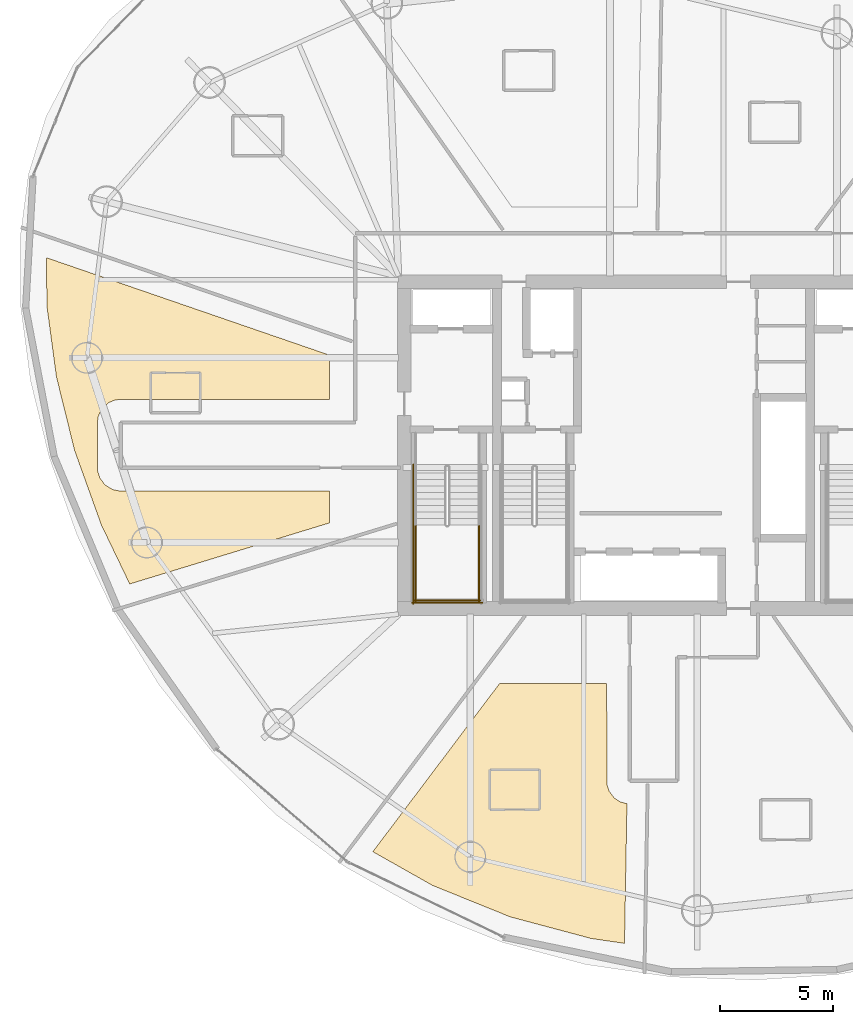
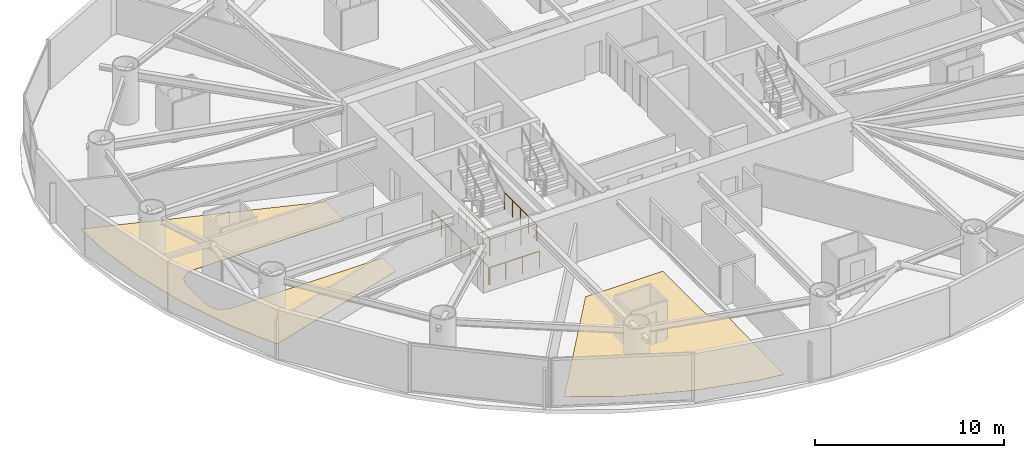
# One storey, part 19 of 21: 5 railings, 2 coverings.
"""IFC4 building model written with IfcOpenShell, lengths in metres."""

from ifc_helpers import new_model, si_unit, direction, frame, origin, origin_2d, place, context, subcontext, project, spatial, polyline, circle, outline, extrude, material, layer, layer_set, type_object, element, save


model = new_model("IFC4")

# Units and contexts
model_context = context("Model", 3, precision=1e-05, world=origin(), true_north=direction((0.0, 1.0)))
body_context = subcontext(model_context, "Body", "Model", "MODEL_VIEW")
ifc_project = project(units=[si_unit("LENGTHUNIT", "METRE"), si_unit("AREAUNIT", "SQUARE_METRE"), si_unit("VOLUMEUNIT", "CUBIC_METRE"), si_unit("PLANEANGLEUNIT", "RADIAN"), si_unit("MASSUNIT", "GRAM", prefix="KILO")], contexts=[model_context])

# Site, building, storey
site_placement = place(None, origin())
site = spatial("IfcSite", under=ifc_project, at=site_placement, CompositionType="ELEMENT")
building_placement = place(site_placement, origin())
building = spatial("IfcBuilding", under=site, at=building_placement, Name="Bramvorn Convention Spire", CompositionType="ELEMENT")
storey_placement = place(building_placement, frame((0.0, 0.0, 162.300048828125)))
storey = spatial("IfcBuildingStorey", under=building, at=storey_placement, Name="L41", CompositionType="ELEMENT", Elevation=162.300048828125)

# Coverings
ifc_material_1 = material(Name="Solution-Dyed Wool Broadloom Hospitality Carpet", Category="textile")
ifc_layer = layer(ifc_material_1, 0.014892578125)
ifc_layer_set = layer_set([ifc_layer], Name="Solution-Dyed Wool Broadloom Hospitality Carpet - FLR-CARPET-15")
covering_type = type_object("IfcCoveringType", Name="FLR-CARPET-15", PredefinedType="FLOORING", material=ifc_layer_set)
covering_1_placement = place(storey_placement, origin())
element("IfcCovering", 1, at=covering_1_placement, inside=storey, type_object=covering_type, Name="Hotel Suite 4105 wool broadloom carpet", PredefinedType="FLOORING", context=body_context, shape_type="SweptSolid", body=[
    extrude(outline(polyline([(11.25390625, 32.114501953125), (11.671142578125, 29.01220703125), (12.47021484375, 25.774169921875), (13.65087890625, 22.483642578125), (14.90185546875, 19.87939453125), (23.699951171875, 22.569091796875), (23.699951171875, 23.97998046875), (14.455810546875, 23.981201171875), (14.15087890625, 24.041748046875), (13.810791015625, 24.248291015625), (13.58056640625, 24.55859375), (13.490234375, 24.856201171875), (13.481201171875, 27.044189453125), (13.51220703125, 27.25341796875), (13.622314453125, 27.519287109375), (13.748291015625, 27.689208984375), (13.980712890625, 27.877685546875), (14.24658203125, 27.98779296875), (14.5, 28.02001953125), (23.699951171875, 28.02001953125), (23.699951171875, 29.971923828125), (11.22705078125, 34.266845703125), (11.25390625, 32.114501953125)])), origin(), (0.0, 0.0, 1.0), 0.014892578125),
])
covering_2_placement = place(storey_placement, origin())
element("IfcCovering", 2, at=covering_2_placement, inside=storey, type_object=covering_type, Name="Hotel Suite 4107 wool broadloom carpet", PredefinedType="FLOORING", context=body_context, shape_type="SweptSolid", body=[
    extrude(outline(polyline([(28.248046875, 6.591796875), (31.6748046875, 5.204345703125), (35.243408203125, 4.2509765625), (36.716552734375, 4.03515625), (36.823974609375, 10.188720703125), (36.519287109375, 10.275390625), (36.2607421875, 10.4482421875), (36.030517578125, 10.758544921875), (35.94189453125, 11.04443359375), (35.929931640625, 15.5), (31.214599609375, 15.5), (25.62060546875, 8.07666015625), (28.248046875, 6.591796875)])), origin(), (0.0, 0.0, 1.0), 0.014892578125),
])

# Railings
ifc_material_2 = material(Name="Painted Steel Balustrade & Guardrail", Category="steel")
railing_type = type_object("IfcRailingType", Name="RL-STAIR-GUARD-1100", PredefinedType="GUARDRAIL", material=ifc_material_2)
for number, where, name in (
    (3, (27.5, 22.485107421875, 1.75), "L41 ST1 stair guard 3"),
    (4, (30.300048828125, 22.485107421875, 1.75), "L41 ST1 stair guard 4"),
):
    element("IfcRailing", number, at=place(storey_placement, frame(where)), inside=storey, type_object=railing_type, Name=name, PredefinedType="GUARDRAIL", context=body_context, shape_type="SweptSolid", body=[
        extrude(circle(Radius=0.02392578125, at=origin_2d()), frame((0.0, 0.0, 1.076171875), z_axis=(0.0, -1.0, 0.0), x_axis=(1.0, 0.0, 0.0)), (0.0, 0.0, 1.0), 3.385009765625),
        extrude(circle(Radius=0.02099609375, at=origin_2d()), origin(), (0.0, 0.0, 1.0), 1.052001953125),
        extrude(circle(Radius=0.02099609375, at=origin_2d()), frame((0.0, -0.84619140625, 0.0)), (0.0, 0.0, 1.0), 1.052001953125),
        extrude(circle(Radius=0.02099609375, at=origin_2d()), frame((0.0, -1.6923828125, 0.0)), (0.0, 0.0, 1.0), 1.052001953125),
        extrude(circle(Radius=0.02099609375, at=origin_2d()), frame((0.0, -2.538818359375, 0.0)), (0.0, 0.0, 1.0), 1.052001953125),
        extrude(circle(Radius=0.02099609375, at=origin_2d()), frame((0.0, -3.385009765625, 0.0)), (0.0, 0.0, 1.0), 1.052001953125),
    ])
railing_1_placement = place(storey_placement, frame((27.449951171875, 19.14990234375, 1.75)))
element("IfcRailing", 5, at=railing_1_placement, inside=storey, type_object=railing_type, Name="L41 ST1 stair guard 5", PredefinedType="GUARDRAIL", context=body_context, shape_type="SweptSolid", body=[
    extrude(circle(Radius=0.02392578125, at=origin_2d()), frame((0.0, 0.0, 1.076171875), z_axis=(1.0, 0.0, 0.0), x_axis=(0.0, 1.0, 0.0)), (0.0, 0.0, 1.0), 2.900146484375),
    extrude(circle(Radius=0.02099609375, at=origin_2d()), origin(), (0.0, 0.0, 1.0), 1.052001953125),
    extrude(circle(Radius=0.02099609375, at=origin_2d()), frame((0.966796875, 0.0, 0.0)), (0.0, 0.0, 1.0), 1.052001953125),
    extrude(circle(Radius=0.02099609375, at=origin_2d()), frame((1.933349609375, 0.0, 0.0)), (0.0, 0.0, 1.0), 1.052001953125),
    extrude(circle(Radius=0.02099609375, at=origin_2d()), frame((2.900146484375, 0.0, 0.0)), (0.0, 0.0, 1.0), 1.052001953125),
])
railing_2_placement = place(storey_placement, frame((27.39990234375, 25.14990234375, 0.0)))
element("IfcRailing", 6, at=railing_2_placement, inside=storey, type_object=railing_type, Name="L41 ST1 stair guard 10", PredefinedType="GUARDRAIL", context=body_context, shape_type="SweptSolid", body=[
    extrude(circle(Radius=0.02392578125, at=origin_2d()), frame((0.0, 0.0, 1.076171875), z_axis=(0.0, -1.0, 0.0), x_axis=(1.0, 0.0, 0.0)), (0.0, 0.0, 1.0), 6.14990234375),
    extrude(circle(Radius=0.02099609375, at=origin_2d()), origin(), (0.0, 0.0, 1.0), 1.052001953125),
    extrude(circle(Radius=0.02099609375, at=origin_2d()), frame((0.0, -1.02490234375, 0.0)), (0.0, 0.0, 1.0), 1.052001953125),
    extrude(circle(Radius=0.02099609375, at=origin_2d()), frame((0.0, -2.050048828125, 0.0)), (0.0, 0.0, 1.0), 1.052001953125),
    extrude(circle(Radius=0.02099609375, at=origin_2d()), frame((0.0, -3.074951171875, 0.0)), (0.0, 0.0, 1.0), 1.052001953125),
    extrude(circle(Radius=0.02099609375, at=origin_2d()), frame((0.0, -4.099853515625, 0.0)), (0.0, 0.0, 1.0), 1.052001953125),
    extrude(circle(Radius=0.02099609375, at=origin_2d()), frame((0.0, -5.125, 0.0)), (0.0, 0.0, 1.0), 1.052001953125),
    extrude(circle(Radius=0.02099609375, at=origin_2d()), frame((0.0, -6.14990234375, 0.0)), (0.0, 0.0, 1.0), 1.052001953125),
])
railing_3_placement = place(storey_placement, frame((27.35009765625, 19.050048828125, 0.0)))
element("IfcRailing", 7, at=railing_3_placement, inside=storey, type_object=railing_type, Name="L41 ST1 stair guard 12", PredefinedType="GUARDRAIL", context=body_context, shape_type="SweptSolid", body=[
    extrude(circle(Radius=0.02392578125, at=origin_2d()), frame((0.0, 0.0, 1.076171875), z_axis=(1.0, 0.0, 0.0), x_axis=(0.0, 1.0, 0.0)), (0.0, 0.0, 1.0), 3.099853515625),
    extrude(circle(Radius=0.02099609375, at=origin_2d()), origin(), (0.0, 0.0, 1.0), 1.052001953125),
    extrude(circle(Radius=0.02099609375, at=origin_2d()), frame((1.033203125, 0.0, 0.0)), (0.0, 0.0, 1.0), 1.052001953125),
    extrude(circle(Radius=0.02099609375, at=origin_2d()), frame((2.066650390625, 0.0, 0.0)), (0.0, 0.0, 1.0), 1.052001953125),
    extrude(circle(Radius=0.02099609375, at=origin_2d()), frame((3.099853515625, 0.0, 0.0)), (0.0, 0.0, 1.0), 1.052001953125),
])

save(model, "model.ifc")
